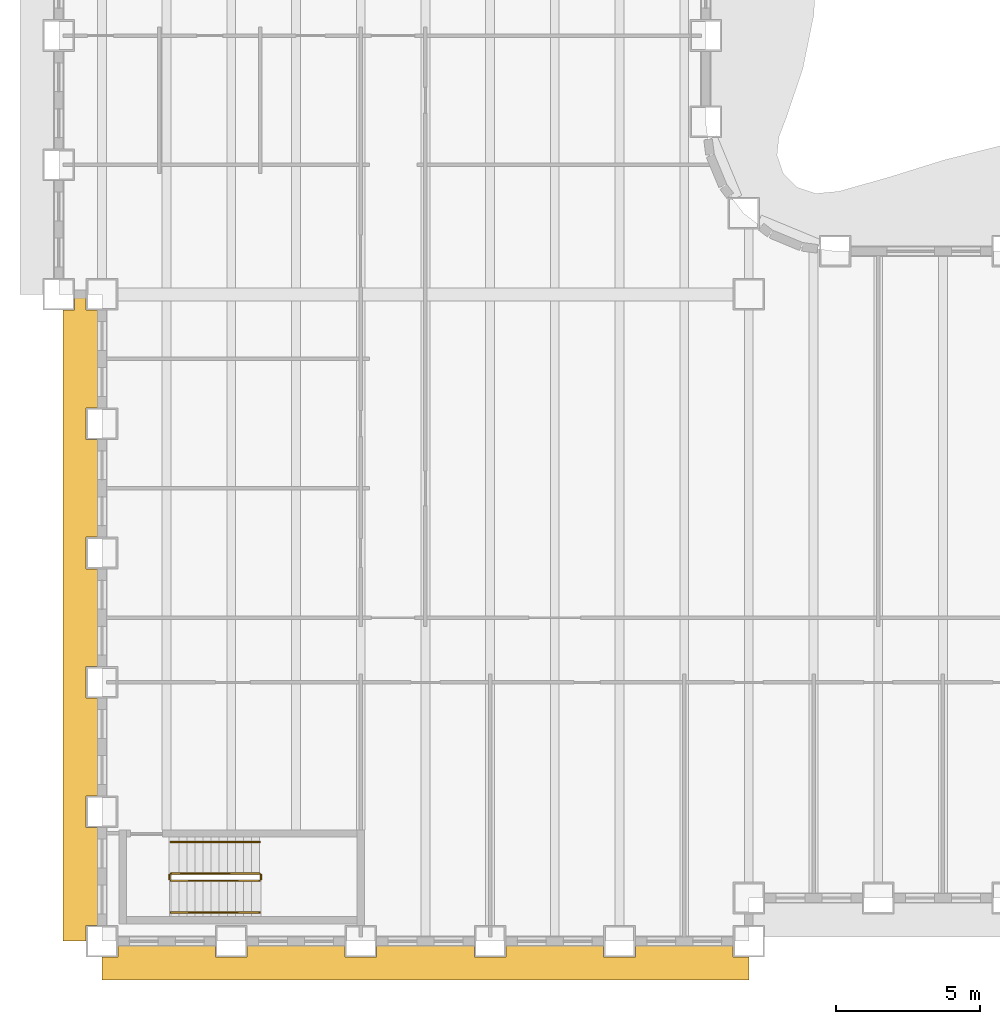
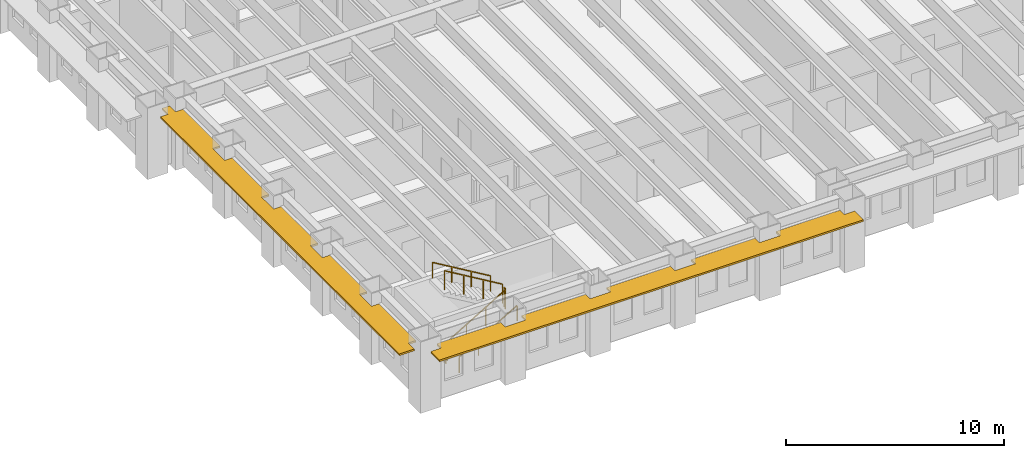
# One storey, part 10 of 15: 6 railings, 2 shading devices.
"""IFC4 building model written with IfcOpenShell, lengths in metres."""

from ifc_helpers import new_model, si_unit, direction, frame, origin, origin_2d, place, context, subcontext, project, spatial, polyline, rectangle, outline, extrude, material, layer, layer_set, type_object, element, save


model = new_model("IFC4")

# Units and contexts
model_context = context("Model", 3, precision=1e-05, world=origin(), true_north=direction((0.0, 1.0)))
body_context = subcontext(model_context, "Body", "Model", "MODEL_VIEW")
ifc_project = project(units=[si_unit("LENGTHUNIT", "METRE"), si_unit("AREAUNIT", "SQUARE_METRE"), si_unit("VOLUMEUNIT", "CUBIC_METRE"), si_unit("PLANEANGLEUNIT", "RADIAN"), si_unit("MASSUNIT", "GRAM", prefix="KILO")], contexts=[model_context])

# Site, building, storey
site_placement = place(None, origin())
site = spatial("IfcSite", under=ifc_project, at=site_placement, CompositionType="ELEMENT")
building_placement = place(site_placement, origin())
building = spatial("IfcBuilding", under=site, at=building_placement, Name="Sennacour Bend Tower", CompositionType="ELEMENT")
storey_placement = place(building_placement, frame((0.0, 0.0, 33.0)))
storey = spatial("IfcBuildingStorey", under=building, at=storey_placement, Name="L06", CompositionType="ELEMENT", Elevation=33.0)

# Railings
ifc_material_1 = material(Name="Stainless steel", Category="steel")
railing_type_1 = type_object("IfcRailingType", Name="RL-GUARD-1100", PredefinedType="GUARDRAIL", material=ifc_material_1)
railing_1_placement = place(storey_placement, frame((2.39990234375, 2.10009765625, 0.166748046875)))
element("IfcRailing", 1, at=railing_1_placement, inside=storey, type_object=railing_type_1, Name="L06 SK1 stair guard 1", PredefinedType="GUARDRAIL", context=body_context, shape_type="SweptSolid", body=[
    extrude(rectangle(XDim=0.048095703125, YDim=0.048095703125, at=origin_2d()), frame((0.0, 0.0, 1.076171875), z_axis=(0.859308565015, 0.0, 0.511457515432), x_axis=(0.0, 1.0, 0.0)), (0.0, 0.0, 1.0), 3.58447265625),
    extrude(rectangle(XDim=0.0419921875, YDim=0.0419921875, at=origin_2d()), origin(), (0.0, 0.0, 1.0), 1.052001953125),
    extrude(rectangle(XDim=0.0419921875, YDim=0.0419921875, at=origin_2d()), frame((1.026611328125, 0.0, 0.611083984375)), (0.0, 0.0, 1.0), 1.052001953125),
    extrude(rectangle(XDim=0.0419921875, YDim=0.0419921875, at=origin_2d()), frame((2.053466796875, 0.0, 1.22216796875)), (0.0, 0.0, 1.0), 1.052001953125),
    extrude(rectangle(XDim=0.0419921875, YDim=0.0419921875, at=origin_2d()), frame((3.080078125, 0.0, 1.833251953125)), (0.0, 0.0, 1.0), 1.052001953125),
])
railing_2_placement = place(storey_placement, frame((5.530029296875, 2.14990234375, 2.0)))
element("IfcRailing", 2, at=railing_2_placement, inside=storey, type_object=railing_type_1, Name="L06 SK1 stair guard 2", PredefinedType="GUARDRAIL", context=body_context, shape_type="SweptSolid", body=[
    extrude(rectangle(XDim=0.048095703125, YDim=0.048095703125, at=origin_2d()), frame((0.0, 0.0, 1.076171875), z_axis=(0.0, 1.0, 0.0), x_axis=(-1.0, 0.0, 0.0)), (0.0, 0.0, 1.0), 0.150146484375),
    extrude(rectangle(XDim=0.0419921875, YDim=0.0419921875, at=origin_2d()), origin(), (0.0, 0.0, 1.0), 1.052001953125),
    extrude(rectangle(XDim=0.0419921875, YDim=0.0419921875, at=origin_2d()), frame((0.0, 0.150146484375, 0.0)), (0.0, 0.0, 1.0), 1.052001953125),
])
railing_3_placement = place(storey_placement, frame((5.47998046875, 2.35009765625, 2.166748046875)))
element("IfcRailing", 3, at=railing_3_placement, inside=storey, type_object=railing_type_1, Name="L06 SK1 stair guard 3", PredefinedType="GUARDRAIL", context=body_context, shape_type="SweptSolid", body=[
    extrude(rectangle(XDim=0.048095703125, YDim=0.048095703125, at=origin_2d()), frame((0.0, 0.0, 1.076171875), z_axis=(-0.859308565015, 0.0, 0.511457515432), x_axis=(0.0, -1.0, 0.0)), (0.0, 0.0, 1.0), 3.58447265625),
    extrude(rectangle(XDim=0.0419921875, YDim=0.0419921875, at=origin_2d()), origin(), (0.0, 0.0, 1.0), 1.052001953125),
    extrude(rectangle(XDim=0.0419921875, YDim=0.0419921875, at=origin_2d()), frame((-1.026611328125, 0.0, 0.611083984375)), (0.0, 0.0, 1.0), 1.052001953125),
    extrude(rectangle(XDim=0.0419921875, YDim=0.0419921875, at=origin_2d()), frame((-2.053466796875, 0.0, 1.22216796875)), (0.0, 0.0, 1.0), 1.052001953125),
    extrude(rectangle(XDim=0.0419921875, YDim=0.0419921875, at=origin_2d()), frame((-3.080078125, 0.0, 1.833251953125)), (0.0, 0.0, 1.0), 1.052001953125),
])
railing_4_placement = place(storey_placement, frame((2.35009765625, 2.14990234375, 0.0)))
element("IfcRailing", 4, at=railing_4_placement, inside=storey, type_object=railing_type_1, Name="L06 SK1 stair guard 4", PredefinedType="GUARDRAIL", context=body_context, shape_type="SweptSolid", body=[
    extrude(rectangle(XDim=0.048095703125, YDim=0.048095703125, at=origin_2d()), frame((0.0, 0.0, 1.076171875), z_axis=(0.0, 1.0, 0.0), x_axis=(-1.0, 0.0, 0.0)), (0.0, 0.0, 1.0), 0.150146484375),
    extrude(rectangle(XDim=0.0419921875, YDim=0.0419921875, at=origin_2d()), origin(), (0.0, 0.0, 1.0), 1.052001953125),
    extrude(rectangle(XDim=0.0419921875, YDim=0.0419921875, at=origin_2d()), frame((0.0, 0.150146484375, 0.0)), (0.0, 0.0, 1.0), 1.052001953125),
])
railing_type_2 = type_object("IfcRailingType", Name="RL-HANDRAIL-900", PredefinedType="HANDRAIL", material=ifc_material_1)
railing_5_placement = place(storey_placement, frame((2.39990234375, 1.0, 0.166748046875)))
element("IfcRailing", 5, at=railing_5_placement, inside=storey, type_object=railing_type_2, Name="L06 SK1 stair handrail 1", PredefinedType="HANDRAIL", context=body_context, shape_type="SweptSolid", body=[
    extrude(rectangle(XDim=0.048095703125, YDim=0.048095703125, at=origin_2d()), frame((0.0, 0.0, 0.8759765625), z_axis=(0.859308565015, 0.0, 0.511457515432), x_axis=(0.0, 1.0, 0.0)), (0.0, 0.0, 1.0), 3.58447265625),
    extrude(rectangle(XDim=0.0419921875, YDim=0.0419921875, at=origin_2d()), origin(), (0.0, 0.0, 1.0), 0.851806640625),
    extrude(rectangle(XDim=0.0419921875, YDim=0.0419921875, at=origin_2d()), frame((1.026611328125, 0.0, 0.611083984375)), (0.0, 0.0, 1.0), 0.851806640625),
    extrude(rectangle(XDim=0.0419921875, YDim=0.0419921875, at=origin_2d()), frame((2.053466796875, 0.0, 1.22216796875)), (0.0, 0.0, 1.0), 0.851806640625),
    extrude(rectangle(XDim=0.0419921875, YDim=0.0419921875, at=origin_2d()), frame((3.080078125, 0.0, 1.833251953125)), (0.0, 0.0, 1.0), 0.851806640625),
])
railing_6_placement = place(storey_placement, frame((5.47998046875, 3.449951171875, 2.166748046875)))
element("IfcRailing", 6, at=railing_6_placement, inside=storey, type_object=railing_type_2, Name="L06 SK1 stair handrail 2", PredefinedType="HANDRAIL", context=body_context, shape_type="SweptSolid", body=[
    extrude(rectangle(XDim=0.048095703125, YDim=0.048095703125, at=origin_2d()), frame((0.0, 0.0, 0.8759765625), z_axis=(-0.859308565015, 0.0, 0.511457515432), x_axis=(0.0, -1.0, 0.0)), (0.0, 0.0, 1.0), 3.58447265625),
    extrude(rectangle(XDim=0.0419921875, YDim=0.0419921875, at=origin_2d()), origin(), (0.0, 0.0, 1.0), 0.851806640625),
    extrude(rectangle(XDim=0.0419921875, YDim=0.0419921875, at=origin_2d()), frame((-1.026611328125, 0.0, 0.611083984375)), (0.0, 0.0, 1.0), 0.851806640625),
    extrude(rectangle(XDim=0.0419921875, YDim=0.0419921875, at=origin_2d()), frame((-2.053466796875, 0.0, 1.22216796875)), (0.0, 0.0, 1.0), 0.851806640625),
    extrude(rectangle(XDim=0.0419921875, YDim=0.0419921875, at=origin_2d()), frame((-3.080078125, 0.0, 1.833251953125)), (0.0, 0.0, 1.0), 0.851806640625),
])

# Shading devices
ifc_material_2 = material(Name="Bronze anodised aluminium", Category="aluminium")
ifc_layer = layer(ifc_material_2, 0.10009765625, Name="Bronze anodised aluminium", Category="aluminium")
ifc_layer_set = layer_set([ifc_layer], Name="Bronze anodised aluminium")
shading_device_type = type_object("IfcShadingDeviceType", Name="SUNSHADE BAND STRAIGHT", PredefinedType="USERDEFINED", material=ifc_layer_set)
shading_device_1_placement = place(storey_placement, frame((0.0, 0.0, 3.0439453125)))
element("IfcShadingDevice", 7, at=shading_device_1_placement, inside=storey, type_object=shading_device_type, Name="Sunshade band L06 K outer face", ObjectType="SUNSHADE", PredefinedType="USERDEFINED", context=body_context, shape_type="SweptSolid", body=[
    extrude(outline(polyline([(3.949951171875, -0.14990234375), (3.949951171875, -0.550048828125), (5.050048828125, -0.550048828125), (5.050048828125, -0.14990234375), (8.449951171875, -0.14990234375), (8.449951171875, -0.550048828125), (9.550048828125, -0.550048828125), (9.550048828125, -0.14990234375), (12.949951171875, -0.14990234375), (12.949951171875, -0.550048828125), (14.050048828125, -0.550048828125), (14.050048828125, -0.14990234375), (17.449951171875, -0.14990234375), (17.449951171875, -0.550048828125), (18.550048828125, -0.550048828125), (18.550048828125, -0.14990234375), (21.949951171875, -0.14990234375), (21.949951171875, -0.550048828125), (22.5, -0.550048828125), (22.5, -1.35009765625), (0.0, -1.35009765625), (0.0, -0.550048828125), (0.550048828125, -0.550048828125), (0.550048828125, -0.14990234375), (3.949951171875, -0.14990234375)])), origin(), (0.0, 0.0, 1.0), 0.10009765625),
])
shading_device_2_placement = place(storey_placement, frame((0.0, 0.0, 3.0439453125)))
element("IfcShadingDevice", 8, at=shading_device_2_placement, inside=storey, type_object=shading_device_type, Name="Sunshade band L06 K outer face", ObjectType="SUNSHADE", PredefinedType="USERDEFINED", context=body_context, shape_type="SweptSolid", body=[
    extrude(outline(polyline([(-0.14990234375, 18.550048828125), (-0.550048828125, 18.550048828125), (-0.550048828125, 17.449951171875), (-0.14990234375, 17.449951171875), (-0.14990234375, 14.050048828125), (-0.550048828125, 14.050048828125), (-0.550048828125, 12.949951171875), (-0.14990234375, 12.949951171875), (-0.14990234375, 9.550048828125), (-0.550048828125, 9.550048828125), (-0.550048828125, 8.449951171875), (-0.14990234375, 8.449951171875), (-0.14990234375, 5.050048828125), (-0.550048828125, 5.050048828125), (-0.550048828125, 3.949951171875), (-0.14990234375, 3.949951171875), (-0.14990234375, 0.550048828125), (-0.550048828125, 0.550048828125), (-0.550048828125, 0.0), (-1.35009765625, 0.0), (-1.35009765625, 21.949951171875), (-0.949951171875, 21.949951171875), (-0.949951171875, 22.5), (-0.550048828125, 22.5), (-0.550048828125, 21.949951171875), (-0.14990234375, 21.949951171875), (-0.14990234375, 18.550048828125)])), origin(), (0.0, 0.0, 1.0), 0.10009765625),
])

save(model, "model.ifc")
